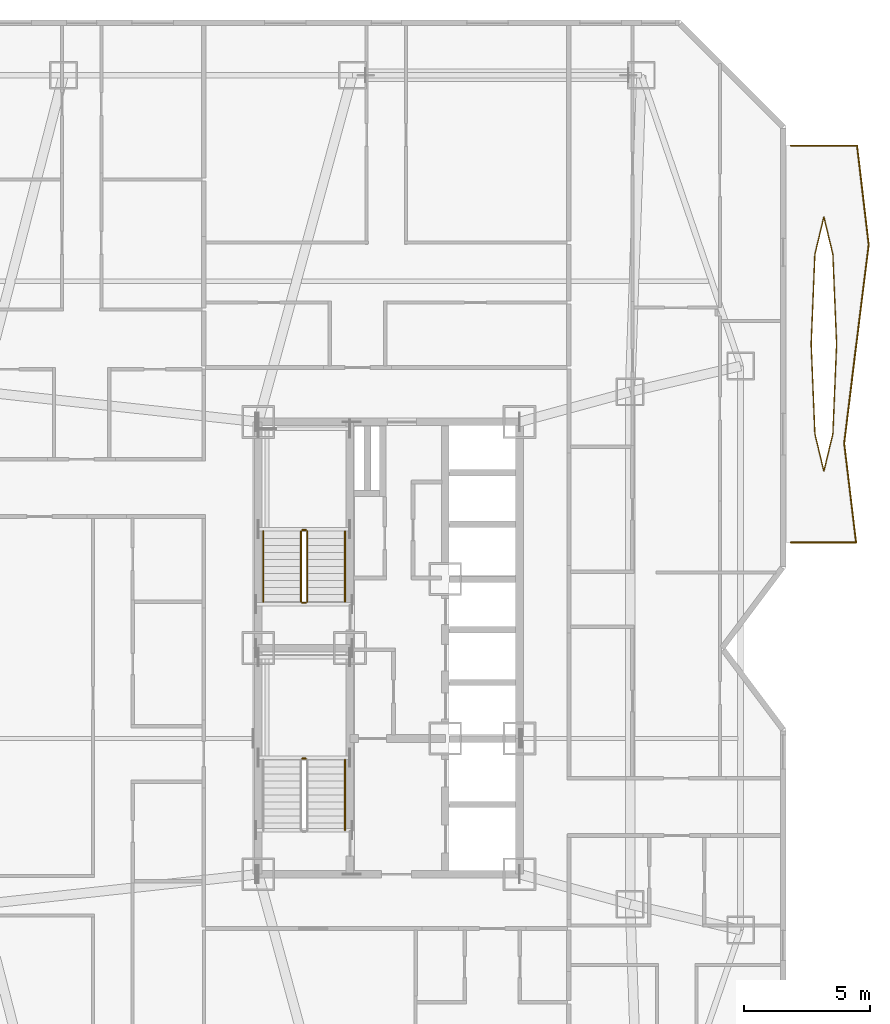
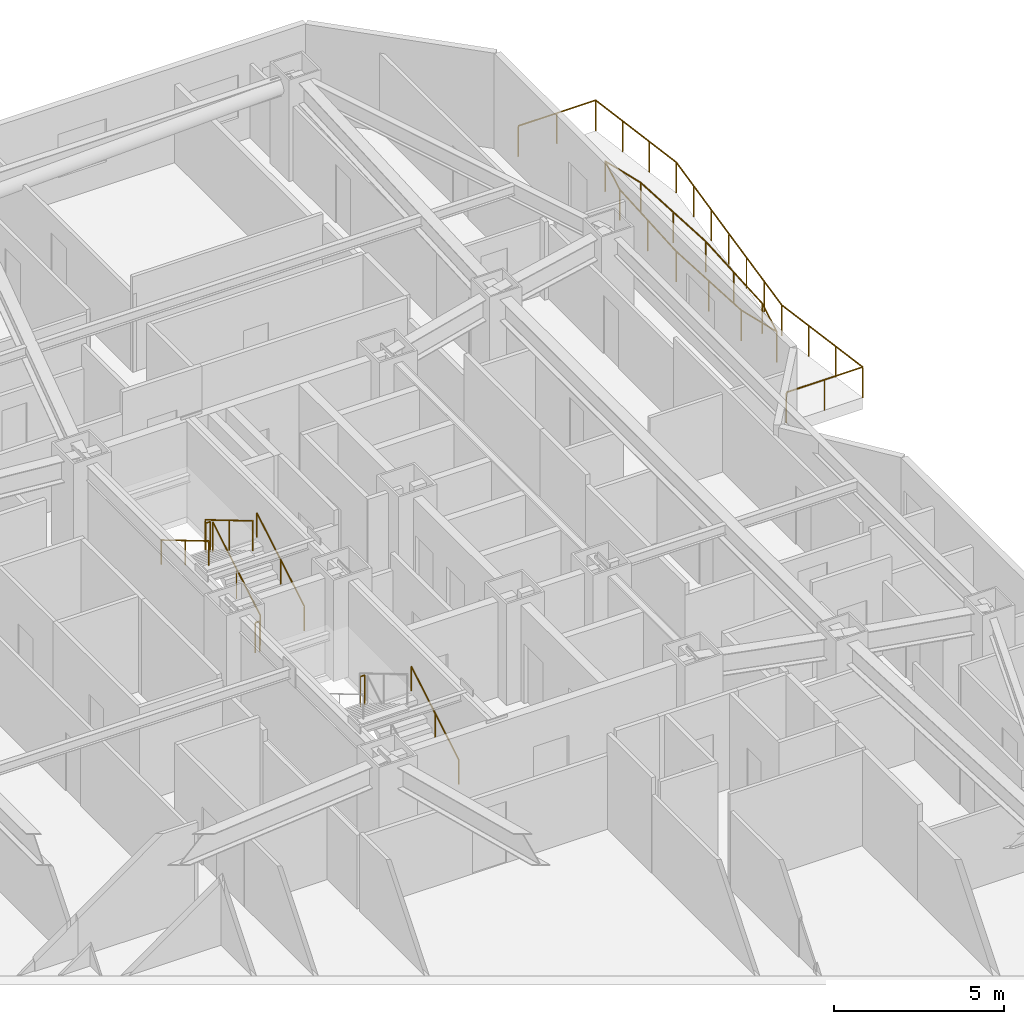
# One storey, part 16 of 16: 12 railings.
"""IFC4 building model written with IfcOpenShell, lengths in metres."""

from ifc_helpers import new_model, si_unit, direction, frame, origin, origin_2d, place, context, subcontext, project, spatial, circle, extrude, material, type_object, element, save


model = new_model("IFC4")

# Units and contexts
model_context = context("Model", 3, precision=1e-05, world=origin(), true_north=direction((0.0, 1.0)))
body_context = subcontext(model_context, "Body", "Model", "MODEL_VIEW")
ifc_project = project(units=[si_unit("LENGTHUNIT", "METRE"), si_unit("AREAUNIT", "SQUARE_METRE"), si_unit("VOLUMEUNIT", "CUBIC_METRE"), si_unit("PLANEANGLEUNIT", "RADIAN"), si_unit("MASSUNIT", "GRAM", prefix="KILO")], contexts=[model_context])

# Site, building, storey
site_placement = place(None, origin())
site = spatial("IfcSite", under=ifc_project, at=site_placement, CompositionType="ELEMENT")
building_placement = place(site_placement, origin())
building = spatial("IfcBuilding", under=site, at=building_placement, Name="Khamvora Tower", CompositionType="ELEMENT")
storey_placement = place(building_placement, frame((0.0, 0.0, 66.14990234375)))
storey = spatial("IfcBuildingStorey", under=building, at=storey_placement, Name="L16", CompositionType="ELEMENT", Elevation=66.14990234375)

# Railings
ifc_material_1 = material(Name="Stainless Steel 316 and Laminated Glass", Category="steel")
railing_type_1 = type_object("IfcRailingType", Name="RAL-GAL-1120", PredefinedType="GUARDRAIL", material=ifc_material_1)
railing_1_placement = place(storey_placement, frame((50.199951171875, 32.199951171875, 0.0)))
element("IfcRailing", 1, at=railing_1_placement, inside=storey, type_object=railing_type_1, Name="L16 lens gallery south perimeter guardrail EL2", PredefinedType="GUARDRAIL", context=body_context, shape_type="SweptSolid", body=[
    extrude(circle(Radius=0.02392578125, at=origin_2d()), frame((0.0, 0.0, 1.09619140625), z_axis=(1.0, 0.0, 0.0), x_axis=(0.0, 1.0, 0.0)), (0.0, 0.0, 1.0), 2.59814453125),
    extrude(circle(Radius=0.02392578125, at=origin_2d()), frame((2.59814453125, 0.0, 1.09619140625), z_axis=(-0.118934682724, 0.992902080391, 0.0), x_axis=(-0.992902080391, -0.118934682724, 0.0)), (0.0, 0.0, 1.0), 3.978271484375),
    extrude(circle(Radius=0.02392578125, at=origin_2d()), frame((2.125, 3.949951171875, 1.09619140625), z_axis=(0.121406738335, 0.992602842977, 0.0), x_axis=(-0.992602842977, 0.121406738335, 0.0)), (0.0, 0.0, 1.0), 3.979736328125),
    extrude(circle(Radius=0.02099609375, at=origin_2d()), origin(), (0.0, 0.0, 1.0), 1.072021484375),
    extrude(circle(Radius=0.02099609375, at=origin_2d()), frame((1.299072265625, 0.0, 0.0)), (0.0, 0.0, 1.0), 1.072021484375),
    extrude(circle(Radius=0.02099609375, at=origin_2d()), frame((2.59814453125, 0.0, 0.0)), (0.0, 0.0, 1.0), 1.072021484375),
    extrude(circle(Radius=0.02099609375, at=origin_2d()), frame((2.4404296875, 1.316650390625, 0.0)), (0.0, 0.0, 1.0), 1.072021484375),
    extrude(circle(Radius=0.02099609375, at=origin_2d()), frame((2.28271484375, 2.63330078125, 0.0)), (0.0, 0.0, 1.0), 1.072021484375),
    extrude(circle(Radius=0.02099609375, at=origin_2d()), frame((2.125, 3.949951171875, 0.0)), (0.0, 0.0, 1.0), 1.072021484375),
    extrude(circle(Radius=0.02099609375, at=origin_2d()), frame((2.2861328125, 5.2666015625, 0.0)), (0.0, 0.0, 1.0), 1.072021484375),
    extrude(circle(Radius=0.02099609375, at=origin_2d()), frame((2.447021484375, 6.58349609375, 0.0)), (0.0, 0.0, 1.0), 1.072021484375),
    extrude(circle(Radius=0.02099609375, at=origin_2d()), frame((2.608154296875, 7.900146484375, 0.0)), (0.0, 0.0, 1.0), 1.072021484375),
])
railing_2_placement = place(storey_placement, frame((52.80810546875, 40.10009765625, 0.0)))
element("IfcRailing", 2, at=railing_2_placement, inside=storey, type_object=railing_type_1, Name="L16 lens gallery north perimeter guardrail EL2", PredefinedType="GUARDRAIL", context=body_context, shape_type="SweptSolid", body=[
    extrude(circle(Radius=0.02392578125, at=origin_2d()), frame((0.0, 0.0, 1.09619140625), z_axis=(0.123589338109, 0.992333449757, 0.0), x_axis=(-0.992333449757, 0.123589338109, 0.0)), (0.0, 0.0, 1.0), 3.98046875),
    extrude(circle(Radius=0.02392578125, at=origin_2d()), frame((0.491943359375, 3.949951171875, 1.09619140625), z_axis=(-0.116453006779, 0.993196202778, 0.0), x_axis=(-0.993196202778, -0.116453006779, 0.0)), (0.0, 0.0, 1.0), 3.97705078125),
    extrude(circle(Radius=0.02392578125, at=origin_2d()), frame((0.02880859375, 7.89990234375, 1.09619140625), z_axis=(-1.0, 0.0, 0.0), x_axis=(0.0, -1.0, 0.0)), (0.0, 0.0, 1.0), 2.636962890625),
    extrude(circle(Radius=0.02099609375, at=origin_2d()), origin(), (0.0, 0.0, 1.0), 1.072021484375),
    extrude(circle(Radius=0.02099609375, at=origin_2d()), frame((0.1640625, 1.316650390625, 0.0)), (0.0, 0.0, 1.0), 1.072021484375),
    extrude(circle(Radius=0.02099609375, at=origin_2d()), frame((0.327880859375, 2.63330078125, 0.0)), (0.0, 0.0, 1.0), 1.072021484375),
    extrude(circle(Radius=0.02099609375, at=origin_2d()), frame((0.491943359375, 3.949951171875, 0.0)), (0.0, 0.0, 1.0), 1.072021484375),
    extrude(circle(Radius=0.02099609375, at=origin_2d()), frame((0.337646484375, 5.2666015625, 0.0)), (0.0, 0.0, 1.0), 1.072021484375),
    extrude(circle(Radius=0.02099609375, at=origin_2d()), frame((0.18310546875, 6.583251953125, 0.0)), (0.0, 0.0, 1.0), 1.072021484375),
    extrude(circle(Radius=0.02099609375, at=origin_2d()), frame((0.02880859375, 7.89990234375, 0.0)), (0.0, 0.0, 1.0), 1.072021484375),
    extrude(circle(Radius=0.02099609375, at=origin_2d()), frame((-1.28955078125, 7.89990234375, 0.0)), (0.0, 0.0, 1.0), 1.072021484375),
    extrude(circle(Radius=0.02099609375, at=origin_2d()), frame((-2.608154296875, 7.89990234375, 0.0)), (0.0, 0.0, 1.0), 1.072021484375),
])
railing_3_placement = place(storey_placement, frame((52.01904296875, 40.10009765625, 0.0)))
element("IfcRailing", 3, at=railing_3_placement, inside=storey, type_object=railing_type_1, Name="L16 lens gallery void guardrail EL2A", PredefinedType="GUARDRAIL", context=body_context, shape_type="SweptSolid", body=[
    extrude(circle(Radius=0.02392578125, at=origin_2d()), frame((0.0, 0.0, 1.09619140625), z_axis=(-0.041349567233, 0.999144740911, 0.0), x_axis=(-0.999144740911, -0.041349567233, 0.0)), (0.0, 0.0, 1.0), 3.578125),
    extrude(circle(Radius=0.02392578125, at=origin_2d()), frame((-0.14794921875, 3.574951171875, 1.09619140625), z_axis=(-0.233851831104, 0.972272246384, 0.0), x_axis=(-0.972272246384, -0.233851831104, 0.0)), (0.0, 0.0, 1.0), 1.523193359375),
    extrude(circle(Radius=0.02392578125, at=origin_2d()), frame((-0.504150390625, 5.055908203125, 1.09619140625), z_axis=(-0.233700305622, -0.972308678945, 0.0), x_axis=(0.972308678945, -0.233700305622, 0.0)), (0.0, 0.0, 1.0), 1.523193359375),
    extrude(circle(Radius=0.02392578125, at=origin_2d()), frame((-0.860107421875, 3.574951171875, 1.09619140625), z_axis=(-0.041349567233, -0.999144740911, 0.0), x_axis=(0.999144740911, -0.041349567233, 0.0)), (0.0, 0.0, 1.0), 3.578125),
    extrude(circle(Radius=0.02099609375, at=origin_2d()), origin(), (0.0, 0.0, 1.0), 1.072021484375),
    extrude(circle(Radius=0.02099609375, at=origin_2d()), frame((-0.073974609375, 1.78759765625, 0.0)), (0.0, 0.0, 1.0), 1.072021484375),
    extrude(circle(Radius=0.02099609375, at=origin_2d()), frame((-0.14794921875, 3.574951171875, 0.0)), (0.0, 0.0, 1.0), 1.072021484375),
    extrude(circle(Radius=0.02099609375, at=origin_2d()), frame((-0.504150390625, 5.055908203125, 0.0)), (0.0, 0.0, 1.0), 1.072021484375),
    extrude(circle(Radius=0.02099609375, at=origin_2d()), frame((-0.860107421875, 3.574951171875, 0.0)), (0.0, 0.0, 1.0), 1.072021484375),
    extrude(circle(Radius=0.02099609375, at=origin_2d()), frame((-0.93408203125, 1.78759765625, 0.0)), (0.0, 0.0, 1.0), 1.072021484375),
    extrude(circle(Radius=0.02099609375, at=origin_2d()), frame((-1.008056640625, 0.0, 0.0)), (0.0, 0.0, 1.0), 1.072021484375),
])
railing_4_placement = place(storey_placement, frame((51.010986328125, 40.10009765625, 0.0)))
element("IfcRailing", 4, at=railing_4_placement, inside=storey, type_object=railing_type_1, Name="L16 lens gallery void guardrail EL2B", PredefinedType="GUARDRAIL", context=body_context, shape_type="SweptSolid", body=[
    extrude(circle(Radius=0.02392578125, at=origin_2d()), frame((0.0, 0.0, 1.09619140625), z_axis=(0.041346748408, -0.999144857564, 0.0), x_axis=(0.999144857564, 0.041346748408, 0.0)), (0.0, 0.0, 1.0), 3.578369140625),
    extrude(circle(Radius=0.02392578125, at=origin_2d()), frame((0.14794921875, -3.5751953125, 1.09619140625), z_axis=(0.233700305622, -0.972308678945, 0.0), x_axis=(0.972308678945, 0.233700305622, 0.0)), (0.0, 0.0, 1.0), 1.523193359375),
    extrude(circle(Radius=0.02392578125, at=origin_2d()), frame((0.50390625, -5.05615234375, 1.09619140625), z_axis=(0.233851831104, 0.972272246384, 0.0), x_axis=(-0.972272246384, 0.233851831104, 0.0)), (0.0, 0.0, 1.0), 1.523193359375),
    extrude(circle(Radius=0.02392578125, at=origin_2d()), frame((0.860107421875, -3.5751953125, 1.09619140625), z_axis=(0.041346748408, 0.999144857564, 0.0), x_axis=(-0.999144857564, 0.041346748408, 0.0)), (0.0, 0.0, 1.0), 3.578369140625),
    extrude(circle(Radius=0.02099609375, at=origin_2d()), origin(), (0.0, 0.0, 1.0), 1.072021484375),
    extrude(circle(Radius=0.02099609375, at=origin_2d()), frame((0.073974609375, -1.78759765625, 0.0)), (0.0, 0.0, 1.0), 1.072021484375),
    extrude(circle(Radius=0.02099609375, at=origin_2d()), frame((0.14794921875, -3.5751953125, 0.0)), (0.0, 0.0, 1.0), 1.072021484375),
    extrude(circle(Radius=0.02099609375, at=origin_2d()), frame((0.50390625, -5.05615234375, 0.0)), (0.0, 0.0, 1.0), 1.072021484375),
    extrude(circle(Radius=0.02099609375, at=origin_2d()), frame((0.860107421875, -3.5751953125, 0.0)), (0.0, 0.0, 1.0), 1.072021484375),
    extrude(circle(Radius=0.02099609375, at=origin_2d()), frame((0.93408203125, -1.78759765625, 0.0)), (0.0, 0.0, 1.0), 1.072021484375),
    extrude(circle(Radius=0.02099609375, at=origin_2d()), frame((1.008056640625, 0.0, 0.0)), (0.0, 0.0, 1.0), 1.072021484375),
])
ifc_material_2 = material(Name="Brushed Stainless Steel 316", Category="steel")
railing_type_2 = type_object("IfcRailingType", Name="RAL-HDR-920", PredefinedType="HANDRAIL", material=ifc_material_2)
railing_5_placement = place(storey_placement, frame((32.449951171875, 20.75, 0.166015625)))
element("IfcRailing", 5, at=railing_5_placement, inside=storey, type_object=railing_type_2, Name="L16 ST-01 stair handrail 1", PredefinedType="HANDRAIL", context=body_context, shape_type="SweptSolid", body=[
    extrude(circle(Radius=0.02392578125, at=origin_2d()), frame((0.0, 0.0, 0.8759765625), z_axis=(0.0, 0.860306154799, 0.50977771628), x_axis=(-1.0, 0.0, 0.0)), (0.0, 0.0, 1.0), 3.254638671875),
    extrude(circle(Radius=0.02099609375, at=origin_2d()), origin(), (0.0, 0.0, 1.0), 0.851806640625),
    extrude(circle(Radius=0.02099609375, at=origin_2d()), frame((0.0, 1.39990234375, 0.82958984375)), (0.0, 0.0, 1.0), 0.851806640625),
    extrude(circle(Radius=0.02099609375, at=origin_2d()), frame((0.0, 2.800048828125, 1.6591796875)), (0.0, 0.0, 1.0), 0.851806640625),
])
railing_6_placement = place(storey_placement, frame((32.449951171875, 29.85009765625, 0.166015625)))
element("IfcRailing", 6, at=railing_6_placement, inside=storey, type_object=railing_type_2, Name="L16 ST-02 stair handrail 1", PredefinedType="HANDRAIL", context=body_context, shape_type="SweptSolid", body=[
    extrude(circle(Radius=0.02392578125, at=origin_2d()), frame((0.0, 0.0, 0.8759765625), z_axis=(0.0, 0.860286659441, 0.509810615413), x_axis=(-1.0, 0.0, 0.0)), (0.0, 0.0, 1.0), 3.25439453125),
    extrude(circle(Radius=0.02099609375, at=origin_2d()), origin(), (0.0, 0.0, 1.0), 0.851806640625),
    extrude(circle(Radius=0.02099609375, at=origin_2d()), frame((0.0, 1.39990234375, 0.82958984375)), (0.0, 0.0, 1.0), 0.851806640625),
    extrude(circle(Radius=0.02099609375, at=origin_2d()), frame((0.0, 2.7998046875, 1.6591796875)), (0.0, 0.0, 1.0), 0.851806640625),
])
railing_7_placement = place(storey_placement, frame((29.199951171875, 32.64990234375, 1.990966796875)))
element("IfcRailing", 7, at=railing_7_placement, inside=storey, type_object=railing_type_2, Name="L16 ST-02 stair handrail 2", PredefinedType="HANDRAIL", context=body_context, shape_type="SweptSolid", body=[
    extrude(circle(Radius=0.02392578125, at=origin_2d()), frame((0.0, 0.0, 0.8759765625), z_axis=(0.0, -0.860286659441, 0.509810615413), x_axis=(1.0, 0.0, 0.0)), (0.0, 0.0, 1.0), 3.25439453125),
    extrude(circle(Radius=0.02099609375, at=origin_2d()), origin(), (0.0, 0.0, 1.0), 0.851806640625),
    extrude(circle(Radius=0.02099609375, at=origin_2d()), frame((0.0, -1.39990234375, 0.82958984375)), (0.0, 0.0, 1.0), 0.851806640625),
    extrude(circle(Radius=0.02099609375, at=origin_2d()), frame((0.0, -2.7998046875, 1.6591796875)), (0.0, 0.0, 1.0), 0.851806640625),
])
ifc_material_3 = material(Name="Stainless Steel 316", Category="steel")
railing_type_3 = type_object("IfcRailingType", Name="RAL-STG-1100", PredefinedType="GUARDRAIL", material=ifc_material_3)
railing_8_placement = place(storey_placement, frame((30.89990234375, 23.60009765625, 1.8251953125)))
element("IfcRailing", 8, at=railing_8_placement, inside=storey, type_object=railing_type_3, Name="L16 ST-01 stair guard 2", PredefinedType="GUARDRAIL", context=body_context, shape_type="SweptSolid", body=[
    extrude(circle(Radius=0.02392578125, at=origin_2d()), frame((0.0, 0.0, 1.076171875), z_axis=(-1.0, 0.0, 0.0), x_axis=(0.0, -1.0, 0.0)), (0.0, 0.0, 1.0), 0.14990234375),
    extrude(circle(Radius=0.02099609375, at=origin_2d()), origin(), (0.0, 0.0, 1.0), 1.052001953125),
    extrude(circle(Radius=0.02099609375, at=origin_2d()), frame((-0.14990234375, 0.0, 0.0)), (0.0, 0.0, 1.0), 1.052001953125),
])
railing_9_placement = place(storey_placement, frame((30.949951171875, 29.85009765625, 0.166015625)))
element("IfcRailing", 9, at=railing_9_placement, inside=storey, type_object=railing_type_3, Name="L16 ST-02 stair guard 1", PredefinedType="GUARDRAIL", context=body_context, shape_type="SweptSolid", body=[
    extrude(circle(Radius=0.02392578125, at=origin_2d()), frame((0.0, 0.0, 1.076171875), z_axis=(0.0, 0.860286659441, 0.509810615413), x_axis=(-1.0, 0.0, 0.0)), (0.0, 0.0, 1.0), 3.25439453125),
    extrude(circle(Radius=0.02099609375, at=origin_2d()), origin(), (0.0, 0.0, 1.0), 1.052001953125),
    extrude(circle(Radius=0.02099609375, at=origin_2d()), frame((0.0, 1.39990234375, 0.82958984375)), (0.0, 0.0, 1.0), 1.052001953125),
    extrude(circle(Radius=0.02099609375, at=origin_2d()), frame((0.0, 2.7998046875, 1.6591796875)), (0.0, 0.0, 1.0), 1.052001953125),
])
railing_10_placement = place(storey_placement, frame((30.89990234375, 32.699951171875, 1.8251953125)))
element("IfcRailing", 10, at=railing_10_placement, inside=storey, type_object=railing_type_3, Name="L16 ST-02 stair guard 2", PredefinedType="GUARDRAIL", context=body_context, shape_type="SweptSolid", body=[
    extrude(circle(Radius=0.02392578125, at=origin_2d()), frame((0.0, 0.0, 1.076171875), z_axis=(-1.0, 0.0, 0.0), x_axis=(0.0, -1.0, 0.0)), (0.0, 0.0, 1.0), 0.14990234375),
    extrude(circle(Radius=0.02099609375, at=origin_2d()), origin(), (0.0, 0.0, 1.0), 1.052001953125),
    extrude(circle(Radius=0.02099609375, at=origin_2d()), frame((-0.14990234375, 0.0, 0.0)), (0.0, 0.0, 1.0), 1.052001953125),
])
railing_11_placement = place(storey_placement, frame((30.699951171875, 32.64990234375, 1.990966796875)))
element("IfcRailing", 11, at=railing_11_placement, inside=storey, type_object=railing_type_3, Name="L16 ST-02 stair guard 3", PredefinedType="GUARDRAIL", context=body_context, shape_type="SweptSolid", body=[
    extrude(circle(Radius=0.02392578125, at=origin_2d()), frame((0.0, 0.0, 1.076171875), z_axis=(0.0, -0.860286659441, 0.509810615413), x_axis=(1.0, 0.0, 0.0)), (0.0, 0.0, 1.0), 3.25439453125),
    extrude(circle(Radius=0.02099609375, at=origin_2d()), origin(), (0.0, 0.0, 1.0), 1.052001953125),
    extrude(circle(Radius=0.02099609375, at=origin_2d()), frame((0.0, -1.39990234375, 0.82958984375)), (0.0, 0.0, 1.0), 1.052001953125),
    extrude(circle(Radius=0.02099609375, at=origin_2d()), frame((0.0, -2.7998046875, 1.6591796875)), (0.0, 0.0, 1.0), 1.052001953125),
])
railing_12_placement = place(storey_placement, frame((30.89990234375, 29.800048828125, 0.0)))
element("IfcRailing", 12, at=railing_12_placement, inside=storey, type_object=railing_type_3, Name="L16 ST-02 stair guard 4", PredefinedType="GUARDRAIL", context=body_context, shape_type="SweptSolid", body=[
    extrude(circle(Radius=0.02392578125, at=origin_2d()), frame((0.0, 0.0, 1.076171875), z_axis=(-1.0, 0.0, 0.0), x_axis=(0.0, -1.0, 0.0)), (0.0, 0.0, 1.0), 0.14990234375),
    extrude(circle(Radius=0.02099609375, at=origin_2d()), origin(), (0.0, 0.0, 1.0), 1.052001953125),
    extrude(circle(Radius=0.02099609375, at=origin_2d()), frame((-0.14990234375, 0.0, 0.0)), (0.0, 0.0, 1.0), 1.052001953125),
])

save(model, "model.ifc")
